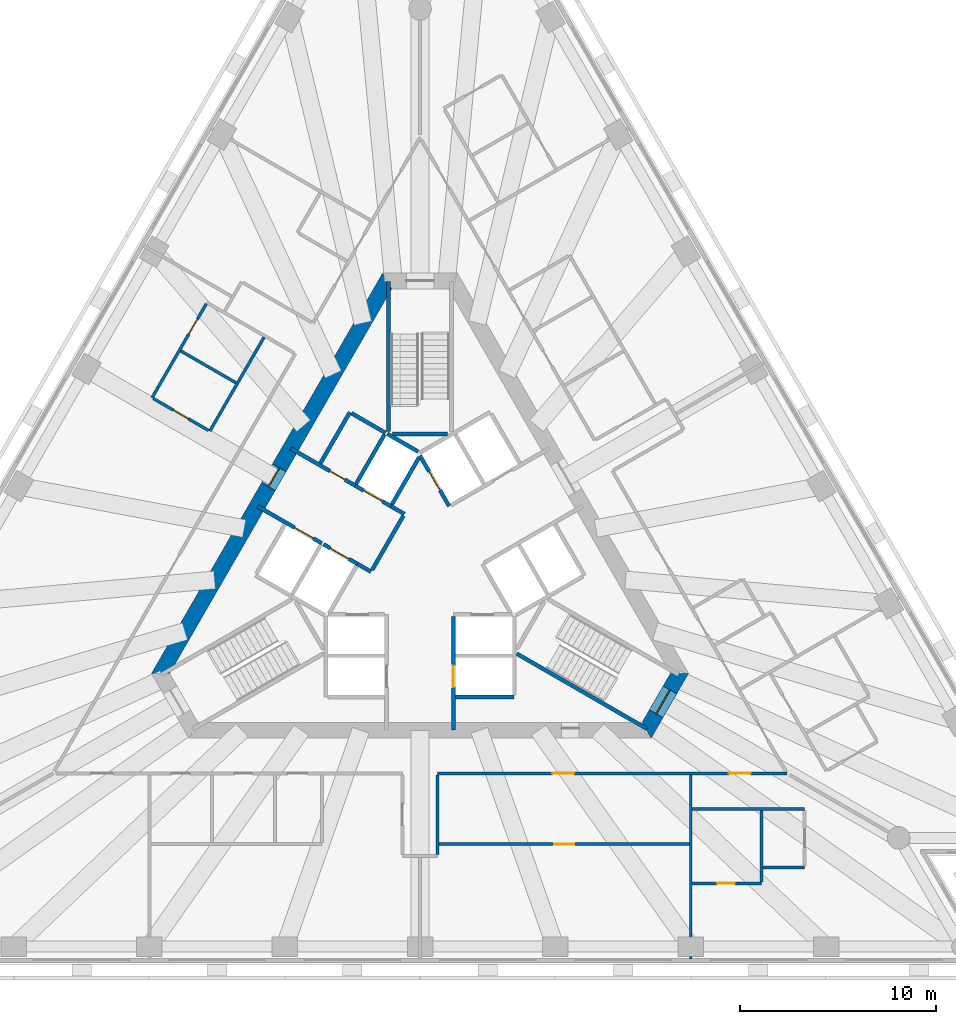
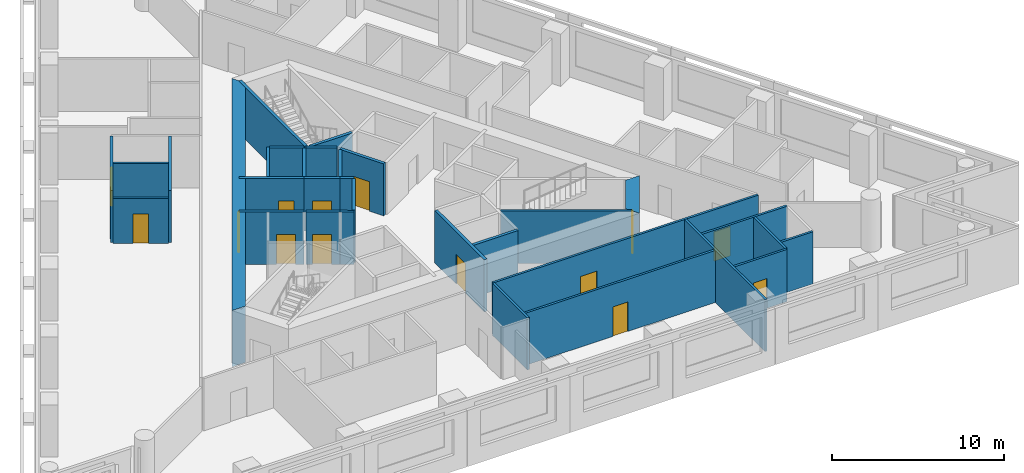
# One storey, part 4 of 10: 32 walls, 14 doors, 14 openings.
"""IFC4 building model written with IfcOpenShell, lengths in metres."""

from ifc_helpers import new_model, si_unit, direction, frame, frame_2d, origin, place, context, subcontext, project, spatial, polyline, rectangle, outline, extrude, material, layer, layer_set, type_object, element, fill, save


model = new_model("IFC4")

# Units and contexts
model_context = context("Model", 3, precision=1e-05, world=origin(), true_north=direction((0.0, 1.0)))
body_context = subcontext(model_context, "Body", "Model", "MODEL_VIEW")
ifc_project = project(units=[si_unit("LENGTHUNIT", "METRE"), si_unit("AREAUNIT", "SQUARE_METRE"), si_unit("VOLUMEUNIT", "CUBIC_METRE"), si_unit("PLANEANGLEUNIT", "RADIAN"), si_unit("MASSUNIT", "GRAM", prefix="KILO")], contexts=[model_context])

# Site, building, storey
site_placement = place(None, origin())
site = spatial("IfcSite", under=ifc_project, at=site_placement, CompositionType="ELEMENT")
building_placement = place(site_placement, origin())
building = spatial("IfcBuilding", under=site, at=building_placement, Name="Triada Interchange Tower", CompositionType="ELEMENT")
storey_placement = place(building_placement, frame((0.0, 0.0, 124.300048828125)))
storey = spatial("IfcBuildingStorey", under=building, at=storey_placement, Name="L28", CompositionType="ELEMENT", Elevation=124.300048828125)

# Wall
ifc_material_1 = material(Name="Concrete C30/37", Category="concrete")
ifc_layer_1 = layer(ifc_material_1, 0.199951171875)
ifc_layer_set_1 = layer_set([ifc_layer_1], Name="CORE WALL 200 EI 120")
wall_type_1 = type_object("IfcWallType", Name="CORE WALL 200 EI 120", PredefinedType="SOLIDWALL", material=ifc_layer_set_1)
wall_1_placement = place(storey_placement, frame((1.800048828125, -6.89990234375, 0.0), z_axis=(0.0, 0.0, 1.0), x_axis=(1.0, 0.0, 0.0)))
element("IfcWall", 1, at=wall_1_placement, inside=storey, type_object=wall_type_1, Name="Wall L26 66", PredefinedType="SOLIDWALL", context=body_context, shape_type="SweptSolid", body=[
    extrude(rectangle(XDim=3.0, YDim=0.199951171875, at=frame_2d((1.5, 0.0))), origin(), (0.0, 0.0, 1.0), 3.699951171875),
])

# Wall, opening, door
wall_2_placement = place(storey_placement, frame((0.0, 5.39990234375, 0.0), z_axis=(0.0, 0.0, 1.0), x_axis=(0.500103862429, -0.865965430478, 0.0)))
wall_2 = element("IfcWall", 2, at=wall_2_placement, inside=storey, type_object=wall_type_1, Name="Wall L26 71", PredefinedType="SOLIDWALL", context=body_context, shape_type="SweptSolid", body=[
    extrude(rectangle(XDim=2.973388671875, YDim=0.199951171875, at=frame_2d((1.48681640625, 0.0))), origin(), (0.0, 0.0, 1.0), 3.699951171875),
])
opening_1_placement = place(wall_2_placement, frame((0.93701171875, 0.0, 0.0)))
opening_1 = element("IfcOpeningElement", 3, at=opening_1_placement, cuts=wall_2, Name="Opening LD-LR5", PredefinedType="OPENING", context=body_context, shape_type="SweptSolid", body=[
    extrude(rectangle(XDim=1.10009765625, YDim=2.10009765625, at=frame_2d((0.550048828125, 1.050048828125))), frame((0.0, 0.10986328125, 0.0), z_axis=(0.0, -1.0, 0.0), x_axis=(1.0, 0.0, 0.0)), (0.0, 0.0, 1.0), 0.219970703125),
])
ifc_material_2 = material(Name="Steel S235 door leaf", Category="steel")
door_type_1 = type_object("IfcDoorType", Name="LIFT LANDING DOOR 1100 EI 120", OperationType="SLIDING_TO_LEFT", PredefinedType="DOOR", material=ifc_material_2)
door_1_placement = place(opening_1_placement, origin())
door_1 = element("IfcDoor", 4, at=door_1_placement, inside=storey, type_object=door_type_1, Name="LR5 landing door L28", OperationType="SLIDING_TO_LEFT", OverallHeight=2.10009765625, OverallWidth=1.10009765625, PredefinedType="DOOR", context=body_context, shape_type="SweptSolid", body=[
    extrude(rectangle(XDim=1.10009765625, YDim=2.10009765625, at=frame_2d((0.550048828125, 1.050048828125))), frame((0.0, 0.02490234375, 0.0), z_axis=(0.0, -1.0, 0.0), x_axis=(1.0, 0.0, 0.0)), (0.0, 0.0, 1.0), 0.050048828125),
])
fill(opening_1, door_1)

wall_3_placement = place(storey_placement, frame((1.699951171875, -8.580078125, 0.0), z_axis=(0.0, 0.0, 1.0), x_axis=(0.0, 1.0, 0.0)))
wall_3 = element("IfcWall", 5, at=wall_3_placement, inside=storey, type_object=wall_type_1, Name="Wall L26 74", PredefinedType="SOLIDWALL", context=body_context, shape_type="SweptSolid", body=[
    extrude(rectangle(XDim=5.777099609375, YDim=0.199951171875, at=frame_2d((2.888671875, 0.0))), origin(), (0.0, 0.0, 1.0), 3.699951171875),
])
opening_2_placement = place(wall_3_placement, frame((2.179931640625, 0.0, 0.0)))
opening_2 = element("IfcOpeningElement", 6, at=opening_2_placement, cuts=wall_3, Name="Opening LD-LR2", PredefinedType="OPENING", context=body_context, shape_type="SweptSolid", body=[
    extrude(rectangle(XDim=1.10009765625, YDim=2.10009765625, at=frame_2d((0.550048828125, 1.050048828125))), frame((0.0, 0.10986328125, 0.0), z_axis=(0.0, -1.0, 0.0), x_axis=(1.0, 0.0, 0.0)), (0.0, 0.0, 1.0), 0.219970703125),
])
door_2_placement = place(opening_2_placement, origin())
door_2 = element("IfcDoor", 7, at=door_2_placement, inside=storey, type_object=door_type_1, Name="LR2 landing door L28", OperationType="SLIDING_TO_LEFT", OverallHeight=2.10009765625, OverallWidth=1.10009765625, PredefinedType="DOOR", context=body_context, shape_type="SweptSolid", body=[
    extrude(rectangle(XDim=1.10009765625, YDim=2.10009765625, at=frame_2d((0.550048828125, 1.050048828125))), frame((0.0, 0.02490234375, 0.0), z_axis=(0.0, -1.0, 0.0), x_axis=(1.0, 0.0, 0.0)), (0.0, 0.0, 1.0), 0.050048828125),
])
fill(opening_2, door_2)

ifc_layer_2 = layer(ifc_material_1, 0.199951171875)
ifc_layer_set_2 = layer_set([ifc_layer_2], Name="CORE WALL 200 EI 180")
wall_type_2 = type_object("IfcWallType", Name="CORE WALL 200 EI 180", PredefinedType="SOLIDWALL", material=ifc_layer_set_2)
wall_4_placement = place(storey_placement, frame((-8.280029296875, 2.818115234375, 0.0), z_axis=(0.0, 0.0, 1.0), x_axis=(0.86600175068, -0.50004096614, 0.0)))
wall_4 = element("IfcWall", 8, at=wall_4_placement, inside=storey, type_object=wall_type_2, Name="Wall L26 82", PredefinedType="SOLIDWALL", context=body_context, shape_type="SweptSolid", body=[
    extrude(rectangle(XDim=3.781982421875, YDim=0.199951171875, at=frame_2d((1.89111328125, 0.0))), origin(), (0.0, 0.0, 1.0), 3.699951171875),
])
opening_3_placement = place(wall_4_placement, frame((2.179931640625, 0.0, 0.0)))
opening_3 = element("IfcOpeningElement", 9, at=opening_3_placement, cuts=wall_4, Name="Opening LD-SV1", PredefinedType="OPENING", context=body_context, shape_type="SweptSolid", body=[
    extrude(rectangle(XDim=1.10009765625, YDim=2.10009765625, at=frame_2d((0.550048828125, 1.050048828125))), frame((0.0, 0.10986328125, 0.0), z_axis=(0.0, -1.0, 0.0), x_axis=(1.0, 0.0, 0.0)), (0.0, 0.0, 1.0), 0.219970703125),
])
door_3_placement = place(opening_3_placement, origin())
door_3 = element("IfcDoor", 10, at=door_3_placement, inside=storey, type_object=door_type_1, Name="SV1 landing door L28", OperationType="SLIDING_TO_LEFT", OverallHeight=2.10009765625, OverallWidth=1.10009765625, PredefinedType="DOOR", context=body_context, shape_type="SweptSolid", body=[
    extrude(rectangle(XDim=1.10009765625, YDim=2.10009765625, at=frame_2d((0.550048828125, 1.050048828125))), frame((0.0, 0.02490234375, 0.0), z_axis=(0.0, -1.0, 0.0), x_axis=(1.0, 0.0, 0.0)), (0.0, 0.0, 1.0), 0.050048828125),
])
fill(opening_3, door_3)

# Wall
wall_5_placement = place(storey_placement, frame((-3.18798828125, -0.1220703125, 0.0), z_axis=(0.0, 0.0, 1.0), x_axis=(0.865705793592, -0.50055317294, 0.0)))
element("IfcWall", 11, at=wall_5_placement, inside=storey, type_object=wall_type_2, Name="Wall L26 83", PredefinedType="SOLIDWALL", context=body_context, shape_type="SweptSolid", body=[
    extrude(rectangle(XDim=0.796875, YDim=0.199951171875, at=frame_2d((0.3984375, 0.0))), origin(), (0.0, 0.0, 1.0), 3.699951171875),
])

# Wall, opening, door
wall_6_placement = place(storey_placement, frame((-6.580078125, 5.761962890625, 0.0), z_axis=(0.0, 0.0, 1.0), x_axis=(0.866029704776, -0.49999255039, 0.0)))
wall_6 = element("IfcWall", 12, at=wall_6_placement, inside=storey, type_object=wall_type_2, Name="Wall L26 84", PredefinedType="SOLIDWALL", context=body_context, shape_type="SweptSolid", body=[
    extrude(rectangle(XDim=3.78173828125, YDim=0.199951171875, at=frame_2d((1.890869140625, 0.0))), origin(), (0.0, 0.0, 1.0), 3.699951171875),
])
opening_4_placement = place(wall_6_placement, frame((2.279052734375, 0.0, 0.0)))
opening_4 = element("IfcOpeningElement", 13, at=opening_4_placement, cuts=wall_6, Name="Opening D26-10", PredefinedType="OPENING", context=body_context, shape_type="SweptSolid", body=[
    extrude(rectangle(XDim=0.89990234375, YDim=2.10009765625, at=frame_2d((0.449951171875, 1.050048828125))), frame((0.0, 0.10986328125, 0.0), z_axis=(0.0, -1.0, 0.0), x_axis=(1.0, 0.0, 0.0)), (0.0, 0.0, 1.0), 0.219970703125),
])
door_type_2 = type_object("IfcDoorType", Name="SERVICE DOOR 900 EI2 90-C5S200", OperationType="NOTDEFINED", PredefinedType="DOOR", material=ifc_material_2)
door_4_placement = place(opening_4_placement, origin())
door_4 = element("IfcDoor", 14, at=door_4_placement, inside=storey, type_object=door_type_2, Name="Door D26-10 L28", OperationType="SINGLE_SWING_LEFT", OverallHeight=2.10009765625, OverallWidth=0.89990234375, PredefinedType="DOOR", context=body_context, shape_type="SweptSolid", body=[
    extrude(rectangle(XDim=0.89990234375, YDim=2.10009765625, at=frame_2d((0.449951171875, 1.050048828125))), frame((0.0, 0.02490234375, 0.0), z_axis=(0.0, -1.0, 0.0), x_axis=(1.0, 0.0, 0.0)), (0.0, 0.0, 1.0), 0.050048828125),
])
fill(opening_4, door_4)

# Walls
wall_7_placement = place(storey_placement, frame((-1.488037109375, 2.822021484375, 0.0), z_axis=(0.0, 0.0, 1.0), x_axis=(0.866236612152, -0.499633997809, 0.0)))
element("IfcWall", 15, at=wall_7_placement, inside=storey, type_object=wall_type_2, Name="Wall L26 85", PredefinedType="SOLIDWALL", context=body_context, shape_type="SweptSolid", body=[
    extrude(rectangle(XDim=0.79638671875, YDim=0.199951171875, at=frame_2d((0.398193359375, 0.0))), origin(), (0.0, 0.0, 1.0), 3.699951171875),
])
wall_8_placement = place(storey_placement, frame((-5.075927734375, 5.009033203125, 0.0), z_axis=(0.0, 0.0, 1.0), x_axis=(0.50002537861, 0.866010750942, 0.0)))
element("IfcWall", 16, at=wall_8_placement, inside=storey, type_object=wall_type_2, Name="Wall L26 86", PredefinedType="SOLIDWALL", context=body_context, shape_type="SweptSolid", body=[
    extrude(rectangle(XDim=2.999755859375, YDim=0.199951171875, at=frame_2d((1.5, 0.0))), origin(), (0.0, 0.0, 1.0), 3.699951171875),
])
wall_9_placement = place(storey_placement, frame((-3.489013671875, 7.556884765625, 0.0), z_axis=(0.0, 0.0, 1.0), x_axis=(0.866010750942, -0.50002537861, 0.0)))
element("IfcWall", 17, at=wall_9_placement, inside=storey, type_object=wall_type_2, Name="Wall L26 87", PredefinedType="SOLIDWALL", context=body_context, shape_type="SweptSolid", body=[
    extrude(rectangle(XDim=2.0, YDim=0.199951171875, at=frame_2d((1.0, 0.0))), origin(), (0.0, 0.0, 1.0), 3.699951171875),
])
wall_10_placement = place(storey_placement, frame((-2.444091796875, -0.43310546875, 0.0), z_axis=(0.0, 0.0, 1.0), x_axis=(0.500035624827, 0.866004834804, 0.0)))
element("IfcWall", 18, at=wall_10_placement, inside=storey, type_object=wall_type_2, Name="Wall L26 88", PredefinedType="SOLIDWALL", context=body_context, shape_type="SweptSolid", body=[
    extrude(rectangle(XDim=3.194091796875, YDim=0.199951171875, at=frame_2d((1.59716796875, 0.0))), origin(), (0.0, 0.0, 1.0), 3.699951171875),
])

# Wall, opening, door
wall_11_placement = place(storey_placement, frame((-4.919921875, 0.8779296875, 0.0), z_axis=(0.0, 0.0, 1.0), x_axis=(0.866010750942, -0.50002537861, 0.0)))
wall_11 = element("IfcWall", 19, at=wall_11_placement, inside=storey, type_object=wall_type_2, Name="Shaft wall FF1 L26 91", PredefinedType="SOLIDWALL", context=body_context, shape_type="SweptSolid", body=[
    extrude(rectangle(XDim=2.0, YDim=0.199951171875, at=frame_2d((1.0, 0.0))), origin(), (0.0, 0.0, 1.0), 3.699951171875),
])
opening_5_placement = place(wall_11_placement, frame((0.39990234375, 0.0, 0.0)))
opening_5 = element("IfcOpeningElement", 20, at=opening_5_placement, cuts=wall_11, Name="Opening LD-FF1", PredefinedType="OPENING", context=body_context, shape_type="SweptSolid", body=[
    extrude(rectangle(XDim=1.10009765625, YDim=2.10009765625, at=frame_2d((0.550048828125, 1.050048828125))), frame((0.0, 0.10986328125, 0.0), z_axis=(0.0, -1.0, 0.0), x_axis=(1.0, 0.0, 0.0)), (0.0, 0.0, 1.0), 0.219970703125),
])
door_5_placement = place(opening_5_placement, origin())
door_5 = element("IfcDoor", 21, at=door_5_placement, inside=storey, type_object=door_type_1, Name="FF1 landing door L28", OperationType="SLIDING_TO_LEFT", OverallHeight=2.10009765625, OverallWidth=1.10009765625, PredefinedType="DOOR", context=body_context, shape_type="SweptSolid", body=[
    extrude(rectangle(XDim=1.10009765625, YDim=2.10009765625, at=frame_2d((0.550048828125, 1.050048828125))), frame((0.0, 0.02490234375, 0.0), z_axis=(0.0, -1.0, 0.0), x_axis=(1.0, 0.0, 0.0)), (0.0, 0.0, 1.0), 0.050048828125),
])
fill(opening_5, door_5)

wall_12_placement = place(storey_placement, frame((-3.30908203125, 3.873046875, 0.0), z_axis=(0.0, 0.0, 1.0), x_axis=(0.866098583652, -0.499873227325, 0.0)))
wall_12 = element("IfcWall", 22, at=wall_12_placement, inside=storey, type_object=wall_type_2, Name="Shaft wall FF2 L26 93", PredefinedType="SOLIDWALL", context=body_context, shape_type="SweptSolid", body=[
    extrude(rectangle(XDim=2.1025390625, YDim=0.199951171875, at=frame_2d((1.05126953125, 0.0))), origin(), (0.0, 0.0, 1.0), 3.699951171875),
])
opening_6_placement = place(wall_12_placement, frame((0.501953125, 0.0, 0.0)))
opening_6 = element("IfcOpeningElement", 23, at=opening_6_placement, cuts=wall_12, Name="Opening LD-FF2", PredefinedType="OPENING", context=body_context, shape_type="SweptSolid", body=[
    extrude(rectangle(XDim=1.10009765625, YDim=2.10009765625, at=frame_2d((0.550048828125, 1.050048828125))), frame((0.0, 0.10986328125, 0.0), z_axis=(0.0, -1.0, 0.0), x_axis=(1.0, 0.0, 0.0)), (0.0, 0.0, 1.0), 0.219970703125),
])
door_6_placement = place(opening_6_placement, origin())
door_6 = element("IfcDoor", 24, at=door_6_placement, inside=storey, type_object=door_type_1, Name="FF2 landing door L28", OperationType="SLIDING_TO_LEFT", OverallHeight=2.10009765625, OverallWidth=1.10009765625, PredefinedType="DOOR", context=body_context, shape_type="SweptSolid", body=[
    extrude(rectangle(XDim=1.10009765625, YDim=2.10009765625, at=frame_2d((0.550048828125, 1.050048828125))), frame((0.0, 0.02490234375, 0.0), z_axis=(0.0, -1.0, 0.0), x_axis=(1.0, 0.0, 0.0)), (0.0, 0.0, 1.0), 0.050048828125),
])
fill(opening_6, door_6)

# Walls
wall_13_placement = place(storey_placement, frame((-3.257080078125, 3.958984375, 0.0), z_axis=(0.0, 0.0, 1.0), x_axis=(0.50012328804, 0.865954211699, 0.0)))
element("IfcWall", 25, at=wall_13_placement, inside=storey, type_object=wall_type_2, Name="Shaft wall FF2 L26 94", PredefinedType="SOLIDWALL", context=body_context, shape_type="SweptSolid", body=[
    extrude(rectangle(XDim=2.899658203125, YDim=0.199951171875, at=frame_2d((1.44970703125, 0.0))), origin(), (0.0, 0.0, 1.0), 3.699951171875),
])
wall_14_placement = place(storey_placement, frame((-1.669921875, 6.507080078125, 0.0), z_axis=(0.0, 0.0, 1.0), x_axis=(0.865941441609, -0.500145398563, 0.0)))
element("IfcWall", 26, at=wall_14_placement, inside=storey, type_object=wall_type_2, Name="Shaft wall FF2 L26 95", PredefinedType="SOLIDWALL", context=body_context, shape_type="SweptSolid", body=[
    extrude(rectangle(XDim=1.8154296875, YDim=0.199951171875, at=frame_2d((0.90771484375, 0.0))), origin(), (0.0, 0.0, 1.0), 3.699951171875),
])
wall_15_placement = place(storey_placement, frame((-1.43798828125, 2.908935546875, 0.0), z_axis=(0.0, 0.0, 1.0), x_axis=(0.499829630636, 0.866123744241, 0.0)))
element("IfcWall", 27, at=wall_15_placement, inside=storey, type_object=wall_type_2, Name="Shaft wall FF2 L26 96", PredefinedType="SOLIDWALL", context=body_context, shape_type="SweptSolid", body=[
    extrude(rectangle(XDim=2.7607421875, YDim=0.199951171875, at=frame_2d((1.38037109375, 0.0))), origin(), (0.0, 0.0, 1.0), 3.699951171875),
])
ifc_layer_3 = layer(ifc_material_1, 0.199951171875)
ifc_layer_set_3 = layer_set([ifc_layer_3], Name="CORE WALL 200 REI 240")
wall_type_3 = type_object("IfcWallType", Name="CORE WALL 200 REI 240", PredefinedType="SOLIDWALL", material=ifc_layer_set_3)
wall_16_placement = place(storey_placement, frame((-1.39990234375, 6.5, 0.0), z_axis=(0.0, 0.0, 1.0), x_axis=(1.0, 0.0, 0.0)))
element("IfcWall", 28, at=wall_16_placement, inside=storey, type_object=wall_type_3, Name="Wall L26 101", PredefinedType="SOLIDWALL", context=body_context, shape_type="SweptSolid", body=[
    extrude(rectangle(XDim=2.7998046875, YDim=0.199951171875, at=frame_2d((1.39990234375, 0.0))), origin(), (0.0, 0.0, 1.0), 3.699951171875),
])
for number, where, z_axis, x_axis, name in (
    (29, (-1.60009765625, 6.614990234375, 0.0), (0.0, 0.0, 1.0), (0.0, 1.0, 0.0), "Wall L26 102"),
    (30, (4.928955078125, -4.693115234375, 0.0), (0.0, 0.0, 1.0), (0.866005769735, -0.50003400563, 0.0), "Wall L26 103"),
):
    element("IfcWall", number, at=place(storey_placement, frame(where, z_axis=z_axis, x_axis=x_axis)), inside=storey, type_object=wall_type_3, Name=name, PredefinedType="SOLIDWALL", context=body_context, shape_type="SweptSolid", body=[
        extrude(rectangle(XDim=7.6650390625, YDim=0.199951171875, at=frame_2d((3.83251953125, 0.0))), origin(), (0.0, 0.0, 1.0), 3.699951171875),
    ])

# Wall, opening, door
ifc_material_3 = material(Name="Concrete C60/75", Category="concrete")
ifc_layer_4 = layer(ifc_material_3, 0.800048828125)
ifc_layer_set_4 = layer_set([ifc_layer_4], Name="Core wall B 800")
wall_type_4 = type_object("IfcWallType", Name="Core wall B 800", PredefinedType="SHEAR", material=ifc_layer_set_4)
wall_17_placement = place(storey_placement, frame((-1.674072265625, 14.300048828125, -0.300048828125), z_axis=(0.0, 0.0, 1.0), x_axis=(-0.499995765644, -0.866027848477, 0.0)))
wall_17 = element("IfcWall", 31, at=wall_17_placement, inside=storey, type_object=wall_type_4, Name="Core wall WB02 L28", PredefinedType="SHEAR", context=body_context, shape_type="SweptSolid", body=[
    extrude(outline(polyline([(-0.23095703125, -0.39990234375), (1.73193359375, -0.39990234375), (3.695068359375, -0.39990234375), (5.657958984375, -0.39990234375), (7.62109375, -0.39990234375), (9.583984375, -0.39990234375), (11.546875, -0.39990234375), (13.510009765625, -0.39990234375), (15.472900390625, -0.39990234375), (17.43603515625, -0.39990234375), (19.39892578125, -0.39990234375), (21.362060546875, -0.39990234375), (23.324951171875, -0.39990234375), (22.863037109375, 0.39990234375), (20.97705078125, 0.39990234375), (19.091064453125, 0.39990234375), (17.205078125, 0.39990234375), (15.319091796875, 0.39990234375), (13.43310546875, 0.39990234375), (11.546875, 0.39990234375), (9.660888671875, 0.39990234375), (7.77490234375, 0.39990234375), (5.888916015625, 0.39990234375), (4.0029296875, 0.39990234375), (2.116943359375, 0.39990234375), (0.23095703125, 0.39990234375), (-0.23095703125, -0.39990234375)])), origin(), (0.0, 0.0, 1.0), 4.0),
])
opening_7_placement = place(wall_17_placement, frame((10.9970703125, 0.0, 0.300048828125)))
opening_7 = element("IfcOpeningElement", 32, at=opening_7_placement, cuts=wall_17, Name="Opening D26-44", PredefinedType="OPENING", context=body_context, shape_type="SweptSolid", body=[
    extrude(rectangle(XDim=1.10009765625, YDim=2.10009765625, at=frame_2d((0.550048828125, 1.050048828125))), frame((0.0, 0.409912109375, 0.0), z_axis=(0.0, -1.0, 0.0), x_axis=(1.0, 0.0, 0.0)), (0.0, 0.0, 1.0), 0.820068359375),
])
door_type_3 = type_object("IfcDoorType", Name="FIRE LOBBY DOOR 1100 EI2 90-C5S200", OperationType="NOTDEFINED", PredefinedType="DOOR", material=ifc_material_2)
door_7_placement = place(opening_7_placement, origin())
door_7 = element("IfcDoor", 33, at=door_7_placement, inside=storey, type_object=door_type_3, Name="Door D26-44 L28", OperationType="SINGLE_SWING_LEFT", OverallHeight=2.10009765625, OverallWidth=1.10009765625, PredefinedType="DOOR", context=body_context, shape_type="SweptSolid", body=[
    extrude(rectangle(XDim=1.10009765625, YDim=2.10009765625, at=frame_2d((0.550048828125, 1.050048828125))), frame((0.0, 0.02490234375, 0.0), z_axis=(0.0, -1.0, 0.0), x_axis=(1.0, 0.0, 0.0)), (0.0, 0.0, 1.0), 0.050048828125),
])
fill(opening_7, door_7)

wall_18_placement = place(storey_placement, frame((11.547119140625, -8.60009765625, -0.300048828125), z_axis=(0.0, 0.0, 1.0), x_axis=(0.49987182685, 0.866099391942, 0.0)))
wall_18 = element("IfcWall", 34, at=wall_18_placement, inside=storey, type_object=wall_type_4, Name="Core wall WB05 L28", PredefinedType="SHEAR", context=body_context, shape_type="SweptSolid", body=[
    extrude(outline(polyline([(-0.23095703125, -0.39990234375), (1.674072265625, -0.39990234375), (3.5791015625, -0.39990234375), (3.117919921875, 0.39990234375), (1.67431640625, 0.39990234375), (0.23095703125, 0.39990234375), (-0.23095703125, -0.39990234375)])), origin(), (0.0, 0.0, 1.0), 4.0),
])
opening_8_placement = place(wall_18_placement, frame((0.97412109375, 0.0, 0.300048828125)))
opening_8 = element("IfcOpeningElement", 35, at=opening_8_placement, cuts=wall_18, Name="Opening D26-43", PredefinedType="OPENING", context=body_context, shape_type="SweptSolid", body=[
    extrude(rectangle(XDim=1.39990234375, YDim=2.10009765625, at=frame_2d((0.699951171875, 1.050048828125))), frame((0.0, 0.409912109375, 0.0), z_axis=(0.0, -1.0, 0.0), x_axis=(1.0, 0.0, 0.0)), (0.0, 0.0, 1.0), 0.820068359375),
])
door_type_4 = type_object("IfcDoorType", Name="STAIR DOOR 1400 EI2 90-C5S200", OperationType="DOUBLE_DOOR_SINGLE_SWING", PredefinedType="DOOR", material=ifc_material_2)
door_8_placement = place(opening_8_placement, origin())
door_8 = element("IfcDoor", 36, at=door_8_placement, inside=storey, type_object=door_type_4, Name="Door D26-43 L28", OperationType="DOUBLE_DOOR_SINGLE_SWING", OverallHeight=2.10009765625, OverallWidth=1.39990234375, PredefinedType="DOOR", context=body_context, shape_type="SweptSolid", body=[
    extrude(rectangle(XDim=1.39990234375, YDim=2.10009765625, at=frame_2d((0.699951171875, 1.050048828125))), frame((0.0, 0.02490234375, 0.0), z_axis=(0.0, -1.0, 0.0), x_axis=(1.0, 0.0, 0.0)), (0.0, 0.0, 1.0), 0.050048828125),
])
fill(opening_8, door_8)

# Wall, openings, doors
ifc_material_4 = material(Name="Gypsum board partition")
ifc_layer_5 = layer(ifc_material_4, 0.14990234375)
ifc_layer_set_5 = layer_set([ifc_layer_5], Name="PARTITION 150 EI 180")
wall_type_5 = type_object("IfcWallType", Name="PARTITION 150 EI 180", PredefinedType="PARTITIONING", material=ifc_layer_set_5)
wall_19_placement = place(storey_placement, frame((0.90087890625, -10.800048828125, 0.0), z_axis=(0.0, 0.0, 1.0), x_axis=(1.0, 0.0, 0.0)))
wall_19 = element("IfcWall", 37, at=wall_19_placement, inside=storey, type_object=wall_type_5, Name="Wall L26 4", PredefinedType="PARTITIONING", context=body_context, shape_type="SweptSolid", body=[
    extrude(rectangle(XDim=17.80419921875, YDim=0.14990234375, at=frame_2d((8.902099609375, 0.0))), origin(), (0.0, 0.0, 1.0), 3.699951171875),
])
opening_9_placement = place(wall_19_placement, frame((5.84912109375, 0.0, 0.0)))
opening_9 = element("IfcOpeningElement", 38, at=opening_9_placement, cuts=wall_19, Name="Opening D26-16", PredefinedType="OPENING", context=body_context, shape_type="SweptSolid", body=[
    extrude(rectangle(XDim=1.10009765625, YDim=2.10009765625, at=frame_2d((0.550048828125, 1.050048828125))), frame((0.0, 0.0849609375, 0.0), z_axis=(0.0, -1.0, 0.0), x_axis=(1.0, 0.0, 0.0)), (0.0, 0.0, 1.0), 0.169921875),
])
opening_10_placement = place(wall_19_placement, frame((14.843994140625, 0.0, 0.0)))
opening_10 = element("IfcOpeningElement", 39, at=opening_10_placement, cuts=wall_19, Name="Opening D26-18", PredefinedType="OPENING", context=body_context, shape_type="SweptSolid", body=[
    extrude(rectangle(XDim=1.10009765625, YDim=2.10009765625, at=frame_2d((0.550048828125, 1.050048828125))), frame((0.0, 0.0849609375, 0.0), z_axis=(0.0, -1.0, 0.0), x_axis=(1.0, 0.0, 0.0)), (0.0, 0.0, 1.0), 0.169921875),
])
door_type_5 = type_object("IfcDoorType", Name="TENANCY ENTRANCE DOOR 1100 EI2 90-C5S200", OperationType="NOTDEFINED", PredefinedType="DOOR", material=ifc_material_2)
door_9_placement = place(opening_9_placement, origin())
door_9 = element("IfcDoor", 40, at=door_9_placement, inside=storey, type_object=door_type_5, Name="Door D26-16 L28", OperationType="SINGLE_SWING_LEFT", OverallHeight=2.10009765625, OverallWidth=1.10009765625, PredefinedType="DOOR", context=body_context, shape_type="SweptSolid", body=[
    extrude(rectangle(XDim=1.10009765625, YDim=2.10009765625, at=frame_2d((0.550048828125, 1.050048828125))), frame((0.0, 0.02490234375, 0.0), z_axis=(0.0, -1.0, 0.0), x_axis=(1.0, 0.0, 0.0)), (0.0, 0.0, 1.0), 0.050048828125),
])
fill(opening_9, door_9)
door_10_placement = place(opening_10_placement, origin())
door_10 = element("IfcDoor", 41, at=door_10_placement, inside=storey, type_object=door_type_5, Name="Door D26-18 L28", OperationType="SINGLE_SWING_LEFT", OverallHeight=2.10009765625, OverallWidth=1.10009765625, PredefinedType="DOOR", context=body_context, shape_type="SweptSolid", body=[
    extrude(rectangle(XDim=1.10009765625, YDim=2.10009765625, at=frame_2d((0.550048828125, 1.050048828125))), frame((0.0, 0.02490234375, 0.0), z_axis=(0.0, -1.0, 0.0), x_axis=(1.0, 0.0, 0.0)), (0.0, 0.0, 1.0), 0.050048828125),
])
fill(opening_10, door_10)

# Walls
wall_20_placement = place(storey_placement, frame((0.89990234375, -14.925048828125, 0.0), z_axis=(0.0, 0.0, 1.0), x_axis=(0.0, 1.0, 0.0)))
element("IfcWall", 42, at=wall_20_placement, inside=storey, type_object=wall_type_5, Name="Wall L26 23", PredefinedType="PARTITIONING", context=body_context, shape_type="SweptSolid", body=[
    extrude(rectangle(XDim=4.049072265625, YDim=0.14990234375, at=frame_2d((2.0244140625, 0.0))), origin(), (0.0, 0.0, 1.0), 3.699951171875),
])
wall_21_placement = place(storey_placement, frame((13.794921875, -20.243896484375, 0.0), z_axis=(0.0, 0.0, 1.0), x_axis=(0.0, 1.0, 0.0)))
element("IfcWall", 43, at=wall_21_placement, inside=storey, type_object=wall_type_5, Name="Wall L26 34", PredefinedType="PARTITIONING", context=body_context, shape_type="SweptSolid", body=[
    extrude(rectangle(XDim=9.368896484375, YDim=0.14990234375, at=frame_2d((4.6845703125, 0.0))), origin(), (0.0, 0.0, 1.0), 3.699951171875),
])
ifc_layer_6 = layer(ifc_material_4, 0.14990234375)
ifc_layer_set_6 = layer_set([ifc_layer_6], Name="PARTITION 150 EI 90")
wall_type_6 = type_object("IfcWallType", Name="PARTITION 150 EI 90", PredefinedType="PARTITIONING", material=ifc_layer_set_6)
wall_22_placement = place(storey_placement, frame((-10.712890625, 6.64501953125, 0.0), z_axis=(0.0, 0.0, 1.0), x_axis=(0.500050108258, 0.865996471835, 0.0)))
element("IfcWall", 44, at=wall_22_placement, inside=storey, type_object=wall_type_6, Name="Wall L26 41", PredefinedType="PARTITIONING", context=body_context, shape_type="SweptSolid", body=[
    extrude(rectangle(XDim=5.525390625, YDim=0.14990234375, at=frame_2d((2.7626953125, 0.0))), origin(), (0.0, 0.0, 1.0), 3.699951171875),
])

# Wall, opening, door
wall_23_placement = place(storey_placement, frame((-13.656982421875, 8.344970703125, 0.0), z_axis=(0.0, 0.0, 1.0), x_axis=(0.499917542299, 0.866073005526, 0.0)))
wall_23 = element("IfcWall", 45, at=wall_23_placement, inside=storey, type_object=wall_type_6, Name="Wall L26 42", PredefinedType="PARTITIONING", context=body_context, shape_type="SweptSolid", body=[
    extrude(rectangle(XDim=5.52490234375, YDim=0.14990234375, at=frame_2d((2.762451171875, 0.0))), origin(), (0.0, 0.0, 1.0), 3.699951171875),
])
opening_11_placement = place(wall_23_placement, frame((3.75, 0.0, 0.0)))
opening_11 = element("IfcOpeningElement", 46, at=opening_11_placement, cuts=wall_23, Name="Opening D26-38", PredefinedType="OPENING", context=body_context, shape_type="SweptSolid", body=[
    extrude(rectangle(XDim=0.89990234375, YDim=2.10009765625, at=frame_2d((0.449951171875, 1.050048828125))), frame((0.0, 0.0849609375, 0.0), z_axis=(0.0, -1.0, 0.0), x_axis=(1.0, 0.0, 0.0)), (0.0, 0.0, 1.0), 0.169921875),
])
door_type_6 = type_object("IfcDoorType", Name="ROOM DOOR 900 EI2 45-C5S200", OperationType="NOTDEFINED", PredefinedType="DOOR", material=ifc_material_2)
door_11_placement = place(opening_11_placement, origin())
door_11 = element("IfcDoor", 47, at=door_11_placement, inside=storey, type_object=door_type_6, Name="Door D26-38 L28", OperationType="SINGLE_SWING_LEFT", OverallHeight=2.10009765625, OverallWidth=0.89990234375, PredefinedType="DOOR", context=body_context, shape_type="SweptSolid", body=[
    extrude(rectangle(XDim=0.89990234375, YDim=2.10009765625, at=frame_2d((0.449951171875, 1.050048828125))), frame((0.0, 0.02490234375, 0.0), z_axis=(0.0, -1.0, 0.0), x_axis=(1.0, 0.0, 0.0)), (0.0, 0.0, 1.0), 0.050048828125),
])
fill(opening_11, door_11)

wall_24_placement = place(storey_placement, frame((-13.592041015625, 8.306884765625, 0.0), z_axis=(0.0, 0.0, 1.0), x_axis=(0.865977875238, -0.500082312822, 0.0)))
wall_24 = element("IfcWall", 48, at=wall_24_placement, inside=storey, type_object=wall_type_6, Name="Wall L26 43", PredefinedType="PARTITIONING", context=body_context, shape_type="SweptSolid", body=[
    extrude(rectangle(XDim=3.24951171875, YDim=0.14990234375, at=frame_2d((1.624755859375, 0.0))), origin(), (0.0, 0.0, 1.0), 3.199951171875),
])
opening_12_placement = place(wall_24_placement, frame((1.175048828125, 0.0, 0.0)))
opening_12 = element("IfcOpeningElement", 49, at=opening_12_placement, cuts=wall_24, Name="Opening D26-39", PredefinedType="OPENING", context=body_context, shape_type="SweptSolid", body=[
    extrude(rectangle(XDim=0.89990234375, YDim=2.10009765625, at=frame_2d((0.449951171875, 1.050048828125))), frame((0.0, 0.0849609375, 0.0), z_axis=(0.0, -1.0, 0.0), x_axis=(1.0, 0.0, 0.0)), (0.0, 0.0, 1.0), 0.169921875),
])
door_12_placement = place(opening_12_placement, origin())
door_12 = element("IfcDoor", 50, at=door_12_placement, inside=storey, type_object=door_type_6, Name="Door D26-39 L28", OperationType="SINGLE_SWING_RIGHT", OverallHeight=2.10009765625, OverallWidth=0.89990234375, PredefinedType="DOOR", context=body_context, shape_type="SweptSolid", body=[
    extrude(rectangle(XDim=0.89990234375, YDim=2.10009765625, at=frame_2d((0.449951171875, 1.050048828125))), frame((0.0, 0.02490234375, 0.0), z_axis=(0.0, -1.0, 0.0), x_axis=(1.0, 0.0, 0.0)), (0.0, 0.0, 1.0), 0.050048828125),
])
fill(opening_12, door_12)

# Wall
wall_25_placement = place(storey_placement, frame((-12.19189453125, 10.73193359375, 0.0), z_axis=(0.0, 0.0, 1.0), x_axis=(0.865977875238, -0.500082312822, 0.0)))
element("IfcWall", 51, at=wall_25_placement, inside=storey, type_object=wall_type_6, Name="Wall L26 44", PredefinedType="PARTITIONING", context=body_context, shape_type="SweptSolid", body=[
    extrude(rectangle(XDim=3.24951171875, YDim=0.14990234375, at=frame_2d((1.624755859375, 0.0))), origin(), (0.0, 0.0, 1.0), 3.699951171875),
])

# Wall, opening, door
wall_26_placement = place(storey_placement, frame((0.97509765625, -14.39990234375, 0.0), z_axis=(0.0, 0.0, 1.0), x_axis=(1.0, 0.0, 0.0)))
wall_26 = element("IfcWall", 52, at=wall_26_placement, inside=storey, type_object=wall_type_6, Name="Wall L26 45", PredefinedType="PARTITIONING", context=body_context, shape_type="SweptSolid", body=[
    extrude(rectangle(XDim=12.744873046875, YDim=0.14990234375, at=frame_2d((6.37255859375, 0.0))), origin(), (0.0, 0.0, 1.0), 3.699951171875),
])
opening_13_placement = place(wall_26_placement, frame((5.875, 0.0, 0.0)))
opening_13 = element("IfcOpeningElement", 53, at=opening_13_placement, cuts=wall_26, Name="Opening D26-17", PredefinedType="OPENING", context=body_context, shape_type="SweptSolid", body=[
    extrude(rectangle(XDim=1.0, YDim=2.10009765625, at=frame_2d((0.5, 1.050048828125))), frame((0.0, 0.0849609375, 0.0), z_axis=(0.0, -1.0, 0.0), x_axis=(1.0, 0.0, 0.0)), (0.0, 0.0, 1.0), 0.169921875),
])
door_type_7 = type_object("IfcDoorType", Name="ROOM DOOR 1000 EI2 45-C5S200", OperationType="NOTDEFINED", PredefinedType="DOOR", material=ifc_material_2)
door_13_placement = place(opening_13_placement, origin())
door_13 = element("IfcDoor", 54, at=door_13_placement, inside=storey, type_object=door_type_7, Name="Door D26-17 L28", OperationType="SINGLE_SWING_RIGHT", OverallHeight=2.10009765625, OverallWidth=1.0, PredefinedType="DOOR", context=body_context, shape_type="SweptSolid", body=[
    extrude(rectangle(XDim=1.0, YDim=2.10009765625, at=frame_2d((0.5, 1.050048828125))), frame((0.0, 0.02490234375, 0.0), z_axis=(0.0, -1.0, 0.0), x_axis=(1.0, 0.0, 0.0)), (0.0, 0.0, 1.0), 0.050048828125),
])
fill(opening_13, door_13)

wall_27_placement = place(storey_placement, frame((13.8701171875, -16.39990234375, 0.0), z_axis=(0.0, 0.0, 1.0), x_axis=(1.0, 0.0, 0.0)))
wall_27 = element("IfcWall", 55, at=wall_27_placement, inside=storey, type_object=wall_type_6, Name="Wall L26 51", PredefinedType="PARTITIONING", context=body_context, shape_type="SweptSolid", body=[
    extrude(rectangle(XDim=3.52490234375, YDim=0.14990234375, at=frame_2d((1.762451171875, 0.0))), origin(), (0.0, 0.0, 1.0), 3.699951171875),
])
opening_14_placement = place(wall_27_placement, frame((1.27490234375, 0.0, 0.0)))
opening_14 = element("IfcOpeningElement", 56, at=opening_14_placement, cuts=wall_27, Name="Opening D26-19", PredefinedType="OPENING", context=body_context, shape_type="SweptSolid", body=[
    extrude(rectangle(XDim=0.89990234375, YDim=2.10009765625, at=frame_2d((0.449951171875, 1.050048828125))), frame((0.0, 0.0849609375, 0.0), z_axis=(0.0, -1.0, 0.0), x_axis=(1.0, 0.0, 0.0)), (0.0, 0.0, 1.0), 0.169921875),
])
door_14_placement = place(opening_14_placement, origin())
door_14 = element("IfcDoor", 57, at=door_14_placement, inside=storey, type_object=door_type_6, Name="Door D26-19 L28", OperationType="SINGLE_SWING_LEFT", OverallHeight=2.10009765625, OverallWidth=0.89990234375, PredefinedType="DOOR", context=body_context, shape_type="SweptSolid", body=[
    extrude(rectangle(XDim=0.89990234375, YDim=2.10009765625, at=frame_2d((0.449951171875, 1.050048828125))), frame((0.0, 0.02490234375, 0.0), z_axis=(0.0, -1.0, 0.0), x_axis=(1.0, 0.0, 0.0)), (0.0, 0.0, 1.0), 0.050048828125),
])
fill(opening_14, door_14)

# Walls
wall_28_placement = place(storey_placement, frame((17.39501953125, -16.324951171875, 0.0), z_axis=(0.0, 0.0, 1.0), x_axis=(0.0, 1.0, 0.0)))
element("IfcWall", 58, at=wall_28_placement, inside=storey, type_object=wall_type_6, Name="Wall L26 52", PredefinedType="PARTITIONING", context=body_context, shape_type="SweptSolid", body=[
    extrude(rectangle(XDim=3.64990234375, YDim=0.14990234375, at=frame_2d((1.824951171875, 0.0))), origin(), (0.0, 0.0, 1.0), 3.699951171875),
])
wall_29_placement = place(storey_placement, frame((13.8701171875, -12.60009765625, 0.0), z_axis=(0.0, 0.0, 1.0), x_axis=(1.0, 0.0, 0.0)))
element("IfcWall", 59, at=wall_29_placement, inside=storey, type_object=wall_type_6, Name="Wall L26 53", PredefinedType="PARTITIONING", context=body_context, shape_type="SweptSolid", body=[
    extrude(rectangle(XDim=5.724853515625, YDim=0.14990234375, at=frame_2d((2.8623046875, 0.0))), origin(), (0.0, 0.0, 1.0), 3.699951171875),
])
wall_30_placement = place(storey_placement, frame((17.469970703125, -15.60009765625, 0.0), z_axis=(0.0, 0.0, 1.0), x_axis=(1.0, 0.0, 0.0)))
element("IfcWall", 60, at=wall_30_placement, inside=storey, type_object=wall_type_6, Name="Wall L26 54", PredefinedType="PARTITIONING", context=body_context, shape_type="SweptSolid", body=[
    extrude(rectangle(XDim=2.125, YDim=0.14990234375, at=frame_2d((1.0625, 0.0))), origin(), (0.0, 0.0, 1.0), 3.699951171875),
])

save(model, "model.ifc")
